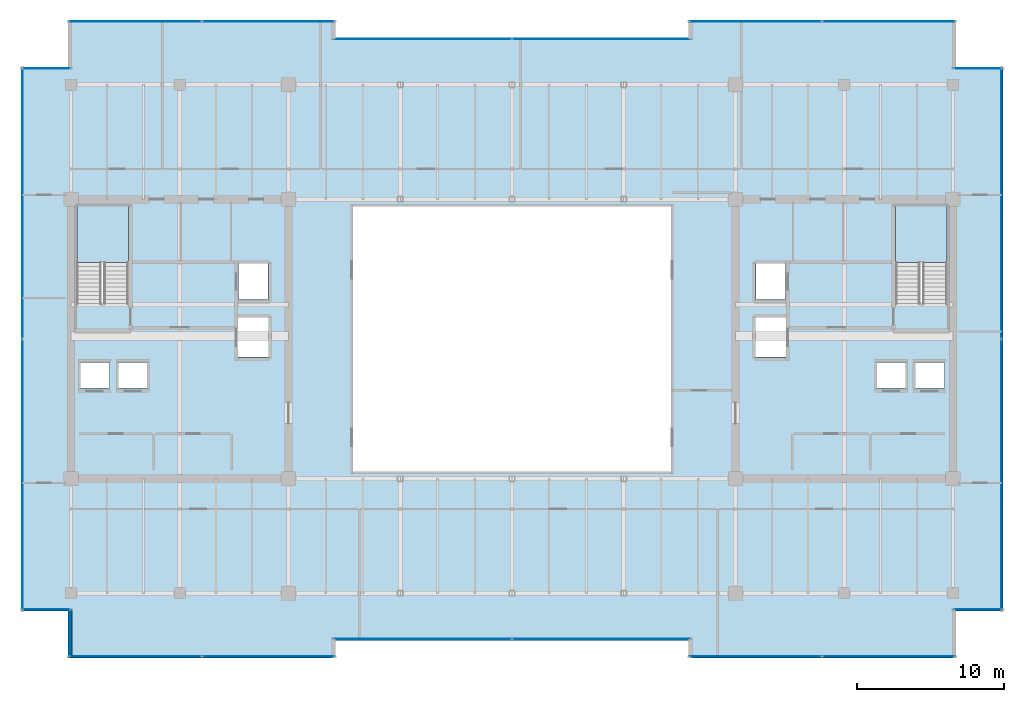
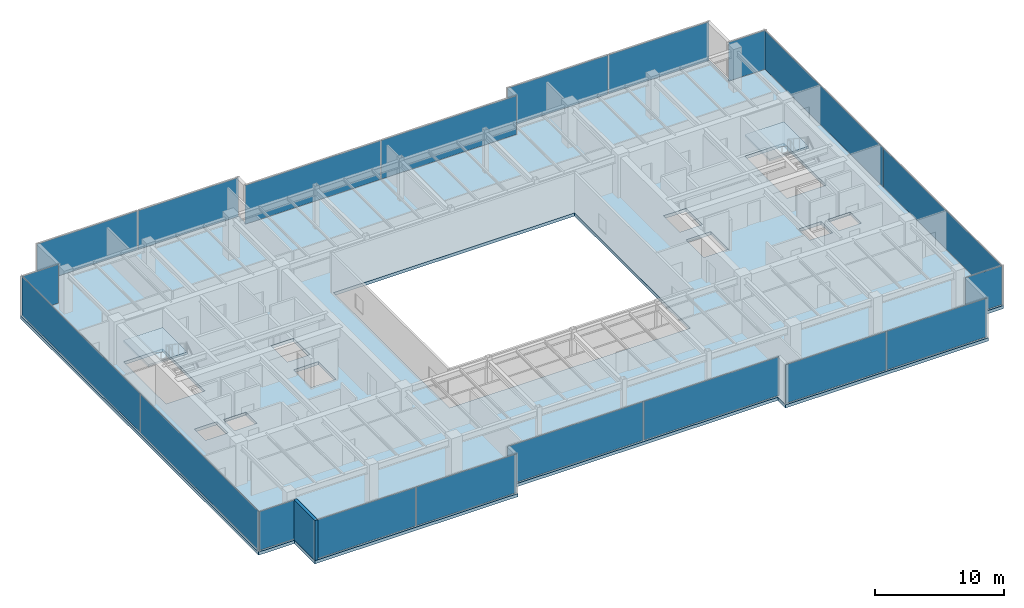
# One storey, part 27 of 33: 20 plates, 3 slabs, 1 wall, 14 elements without a shape of their own.
"""IFC4 building model written with IfcOpenShell, lengths in metres."""

import ifcopenshell
import ifcopenshell.guid

model = None  # the IFC model being written
_history = None  # IfcOwnerHistory: only IFC2X3 demands one
_inside = {}  # id of a spatial element -> (the spatial element, [elements in it])
_under = {}  # id of a project, library or spatial element -> (it, [spatial elements below it])
_declared = {}  # id of a project -> (the project, [libraries it declares])
_typed = {}  # id of a type object -> (the type object, [elements of that type])
_made_of = {}  # id of a material, layer set ... -> (it, [elements and type objects made of it])


def new_model(schema):
    """Start an empty IFC model of exactly this schema.

    Asked for "IFC4X3", IfcOpenShell would pick the latest addendum, in which some entities
    have other attributes; the version numbers below select the first issue.
    IFC2X3 requires an IfcOwnerHistory on every rooted entity: one is made here for all.
    """
    global model, _history
    if schema == "IFC4X3":
        model = ifcopenshell.file(schema_version=(4, 3, 0, 0))
    else:
        model = ifcopenshell.file(schema=schema)
    _inside.clear()
    _under.clear()
    _declared.clear()
    _typed.clear()
    _made_of.clear()
    _history = None
    if model.schema == "IFC2X3":
        org = make("IfcOrganization", Name="unknown")
        user = make(
            "IfcPersonAndOrganization",
            ThePerson=make("IfcPerson", FamilyName="unknown"),
            TheOrganization=org,
        )
        app = make(
            "IfcApplication",
            ApplicationDeveloper=org,
            Version="unknown",
            ApplicationFullName="unknown",
            ApplicationIdentifier="unknown",
        )
        _history = make(
            "IfcOwnerHistory",
            OwningUser=user,
            OwningApplication=app,
            ChangeAction="ADDED",
            CreationDate=0,
        )
    return model


def make(cls, **values):
    """One entity of the class cls with the attributes given. An attribute that is None is left unset."""
    return model.create_entity(
        cls, **{name: value for name, value in values.items() if value is not None}
    )


def rooted(cls, **values):
    """An entity with a GlobalId (a new one), such as an element, a storey or a relation."""
    return make(cls, GlobalId=ifcopenshell.guid.new(), OwnerHistory=_history, **values)


def si_unit(unit_type, name, prefix=None):
    """IfcSIUnit, for example si_unit("LENGTHUNIT", "METRE", prefix="MILLI")."""
    return make("IfcSIUnit", UnitType=unit_type, Prefix=prefix, Name=name)


def assignment(units):
    """IfcUnitAssignment: the units of a project."""
    return None if units is None else make("IfcUnitAssignment", Units=units)


def point(xyz):
    """IfcCartesianPoint."""
    return None if xyz is None else make("IfcCartesianPoint", Coordinates=xyz)


def direction(xyz):
    """IfcDirection."""
    return None if xyz is None else make("IfcDirection", DirectionRatios=xyz)


def frame(location, z_axis=None, x_axis=None):
    """IfcAxis2Placement3D, a coordinate frame: its origin and axes. An axis left out is left unset."""
    return make(
        "IfcAxis2Placement3D",
        Location=point(location),
        Axis=direction(z_axis),
        RefDirection=direction(x_axis),
    )


def frame_2d(location, x_axis=None):
    """IfcAxis2Placement2D, a coordinate frame in the plane: its origin and x axis."""
    return make(
        "IfcAxis2Placement2D", Location=point(location), RefDirection=direction(x_axis)
    )


def origin():
    """The frame at (0, 0, 0) with its axes left unset."""
    return frame((0.0, 0.0, 0.0))


def origin_2d():
    """The frame at (0, 0) in the plane with its x axis left unset."""
    return frame_2d((0.0, 0.0))


def place(relative_to, where):
    """IfcLocalPlacement: puts the frame where relative to a parent placement (None: the world)."""
    return make(
        "IfcLocalPlacement", PlacementRelTo=relative_to, RelativePlacement=where
    )


def context(
    kind, dimensions, precision=None, world=None, true_north=None, identifier=None
):
    """IfcGeometricRepresentationContext, for example the 3D "Model" context."""
    return make(
        "IfcGeometricRepresentationContext",
        ContextIdentifier=identifier,
        ContextType=kind,
        CoordinateSpaceDimension=dimensions,
        Precision=precision,
        WorldCoordinateSystem=world,
        TrueNorth=true_north,
    )


def subcontext(parent, identifier, kind, view, scale=None):
    """IfcGeometricRepresentationSubContext, for example "Body" below "Model"."""
    return make(
        "IfcGeometricRepresentationSubContext",
        ContextIdentifier=identifier,
        ContextType=kind,
        ParentContext=parent,
        TargetScale=scale,
        TargetView=view,
    )


def project(units=None, contexts=None):
    """IfcProject with its units and contexts."""
    return rooted(
        "IfcProject",
        Name="project",
        RepresentationContexts=contexts,
        UnitsInContext=assignment(units),
    )


def spatial(cls, under=None, at=None, **own):
    """A site, building, storey or space (cls), placed at a placement, below another one or the project."""
    s = rooted(cls, ObjectPlacement=at, **own)
    if under is not None:
        _under.setdefault(under.id(), (under, []))[1].append(s)
    return s


def polyline(points):
    """IfcPolyline through the points."""
    return make("IfcPolyline", Points=[point(p) for p in points])


def profile(cls, at=None, kind="AREA", **sizes):
    """A parametric profile (cls). Its sizes go by their IFC names, for example OverallWidth=200.0."""
    return make(cls, ProfileType=kind, Position=at, **sizes)


def rectangle(**sizes):
    """IfcRectangleProfileDef."""
    return profile("IfcRectangleProfileDef", **sizes)


def outline(outer, holes=None, kind="AREA"):
    """IfcArbitraryClosedProfileDef: a profile drawn as a closed curve; with holes, ...WithVoids."""
    if holes is None:
        return make("IfcArbitraryClosedProfileDef", ProfileType=kind, OuterCurve=outer)
    return make(
        "IfcArbitraryProfileDefWithVoids",
        ProfileType=kind,
        OuterCurve=outer,
        InnerCurves=holes,
    )


def extrude(swept, where, along, depth):
    """IfcExtrudedAreaSolid: the profile swept, set in the frame where, extruded along a direction by depth."""
    return make(
        "IfcExtrudedAreaSolid",
        SweptArea=swept,
        Position=where,
        ExtrudedDirection=direction(along),
        Depth=depth,
    )


def shape(context_of_items, identifier, shape_type, items):
    """IfcShapeRepresentation: the items that make up one representation, for example the "Body"."""
    return make(
        "IfcShapeRepresentation",
        ContextOfItems=context_of_items,
        RepresentationIdentifier=identifier,
        RepresentationType=shape_type,
        Items=items,
    )


def source(mapping_origin, context_of_items, identifier, shape_type, items):
    """IfcRepresentationMap: a shape defined once, which mapped items show again and again."""
    return make(
        "IfcRepresentationMap",
        MappingOrigin=mapping_origin,
        MappedRepresentation=shape(context_of_items, identifier, shape_type, items),
    )


def transform(
    local_origin,
    x_axis=None,
    y_axis=None,
    z_axis=None,
    scale=None,
    scale2=None,
    scale3=None,
    uniform=True,
):
    """IfcCartesianTransformationOperator3D, or its non-uniform kind. x_axis, y_axis, z_axis: its Axis1, 2, 3."""
    if uniform:
        return make(
            "IfcCartesianTransformationOperator3D",
            Axis1=direction(x_axis),
            Axis2=direction(y_axis),
            LocalOrigin=point(local_origin),
            Scale=scale,
            Axis3=direction(z_axis),
        )
    return make(
        "IfcCartesianTransformationOperator3DnonUniform",
        Axis1=direction(x_axis),
        Axis2=direction(y_axis),
        LocalOrigin=point(local_origin),
        Scale=scale,
        Axis3=direction(z_axis),
        Scale2=scale2,
        Scale3=scale3,
    )


def mapped(mapping_source, mapping_target):
    """IfcMappedItem: shows the shape of a source again, moved by a transform."""
    return make(
        "IfcMappedItem", MappingSource=mapping_source, MappingTarget=mapping_target
    )


def material(Name=None, Category=None):
    """IfcMaterial."""
    return make("IfcMaterial", Name=Name, Category=Category)


def layer(
    of_material, thickness, ventilated=None, Name=None, Category=None, Priority=None
):
    """IfcMaterialLayer: one layer of a wall or slab, of a material (None: an air gap)."""
    return make(
        "IfcMaterialLayer",
        Material=of_material,
        LayerThickness=thickness,
        IsVentilated=ventilated,
        Name=Name,
        Category=Category,
        Priority=Priority,
    )


def layer_set(layers, Name=None):
    """IfcMaterialLayerSet."""
    return make("IfcMaterialLayerSet", MaterialLayers=layers, LayerSetName=Name)


def made_of(thing, what):
    """Note that an element or type object is made of a material, layer set ...; save() writes the relation."""
    if what is not None:
        _made_of.setdefault(what.id(), (what, []))[1].append(thing)
    return thing


def type_object(cls, material=None, **own):
    """A type object (cls), such as IfcWallType, which elements share."""
    return made_of(rooted(cls, **own), material)


def type_shapes(of_type, sources):
    """Give a type object the sources (RepresentationMaps) that its elements show as mapped items."""
    of_type.RepresentationMaps = sources


def element(
    cls,
    number,
    at=None,
    inside=None,
    cuts=None,
    type_object=None,
    material=None,
    context=None,
    identifier="Body",
    shape_type=None,
    held_by="IfcProductDefinitionShape",
    body=None,
    shapes=None,
    **own,
):
    """One element of the class cls, such as IfcWall. Its Tag is "e" and its number.

    at: its placement. inside: the storey or other place that contains it. cuts: it is an
    opening in that element (IfcRelVoidsElement). A single representation is given by context,
    identifier, shape_type and body (its items); several are given by shapes. held_by: the class
    of the entity that holds the representations. save() writes the other relations.
    """
    e = rooted(cls, Tag="e%d" % number, ObjectPlacement=at, **own)
    if body is not None:
        shapes = [shape(context, identifier, shape_type, body)]
    if shapes is not None:
        e.Representation = make(held_by, Representations=shapes)
    if inside is not None:
        _inside.setdefault(inside.id(), (inside, []))[1].append(e)
    if cuts is not None:
        rooted(
            "IfcRelVoidsElement", RelatingBuildingElement=cuts, RelatedOpeningElement=e
        )
    if type_object is not None:
        _typed.setdefault(type_object.id(), (type_object, []))[1].append(e)
    return made_of(e, material)


def aggregate(whole, parts):
    """IfcRelAggregates: a whole, such as a stair, and the parts it consists of."""
    return rooted("IfcRelAggregates", RelatingObject=whole, RelatedObjects=parts)


def save(model, path):
    """Write the relations noted so far, then the file.

    IfcRelAggregates (storeys below a building ...), IfcRelContainedInSpatialStructure (elements
    in a storey), IfcRelDefinesByType, IfcRelAssociatesMaterial and IfcRelDeclares: one each for
    every whole, place, type object, material and project.
    """
    for whole, parts in _under.values():
        aggregate(whole, parts)
    for where, things in _inside.values():
        rooted(
            "IfcRelContainedInSpatialStructure",
            RelatedElements=things,
            RelatingStructure=where,
        )
    for kind, things in _typed.values():
        rooted("IfcRelDefinesByType", RelatedObjects=things, RelatingType=kind)
    for what, things in _made_of.values():
        rooted("IfcRelAssociatesMaterial", RelatedObjects=things, RelatingMaterial=what)
    for by, libraries in _declared.values():
        rooted("IfcRelDeclares", RelatingContext=by, RelatedDefinitions=libraries)
    model.write(path)


model = new_model("IFC4")

# Units and contexts
model_context = context("Model", 3, precision=1e-05, world=origin(), true_north=direction((0.0, 1.0)))
body_context = subcontext(model_context, "Body", "Model", "MODEL_VIEW")
ifc_project = project(units=[si_unit("LENGTHUNIT", "METRE"), si_unit("AREAUNIT", "SQUARE_METRE"), si_unit("VOLUMEUNIT", "CUBIC_METRE"), si_unit("PLANEANGLEUNIT", "RADIAN"), si_unit("MASSUNIT", "GRAM", prefix="KILO")], contexts=[model_context])

# Site, building, storey
site_placement = place(None, origin())
site = spatial("IfcSite", under=ifc_project, at=site_placement, CompositionType="ELEMENT")
building_placement = place(site_placement, origin())
building = spatial("IfcBuilding", under=site, at=building_placement, Name="Haelvirn Gate Laboratories", CompositionType="ELEMENT")
storey_placement = place(building_placement, frame((0.0, 0.0, 271.10009765625)))
storey = spatial("IfcBuildingStorey", under=building, at=storey_placement, Name="L65", CompositionType="ELEMENT", Elevation=271.10009765625)

# Stair, slab
ifc_material_1 = material(Name="Concrete C40/50", Category="concrete")
stair_type = type_object("IfcStairType", Name="ST-DOG-1650-R22", PredefinedType="HALF_TURN_STAIR", material=ifc_material_1)
stair_1_placement = place(storey_placement, origin())
stair_1 = element("IfcStair", 1, at=stair_1_placement, inside=storey, type_object=stair_type, Name="L65 Escape Stair ST1", PredefinedType="HALF_TURN_STAIR")
ifc_layer_1 = layer(ifc_material_1, 0.199951171875, Name="SL-STAIR-LND")
ifc_layer_set_1 = layer_set([ifc_layer_1], Name="Concrete C40/50")
slab_type_1 = type_object("IfcSlabType", Name="SL-STAIR-LND", PredefinedType="LANDING", material=ifc_layer_set_1)
slab_1_placement = place(storey_placement, frame((0.0, 0.0, 1.849853515625)))
slab_1 = element("IfcSlab", 2, at=slab_1_placement, type_object=slab_type_1, Name="ST1 landing 1", PredefinedType="LANDING", context=body_context, shape_type="SweptSolid", body=[
    extrude(outline(polyline([(11.300048828125, 29.5), (11.300048828125, 33.35009765625), (7.800048828125, 33.35009765625), (7.800048828125, 29.5), (11.300048828125, 29.5)])), origin(), (0.0, 0.0, 1.0), 0.199951171875),
])
aggregate(stair_1, [slab_1])

stair_2_placement = place(storey_placement, origin())
stair_2 = element("IfcStair", 3, at=stair_2_placement, inside=storey, type_object=stair_type, Name="L65 Escape Stair ST2", PredefinedType="HALF_TURN_STAIR")
slab_2_placement = place(storey_placement, frame((0.0, 0.0, 1.849853515625)))
slab_2 = element("IfcSlab", 4, at=slab_2_placement, type_object=slab_type_1, Name="ST2 landing 1", PredefinedType="LANDING", context=body_context, shape_type="SweptSolid", body=[
    extrude(outline(polyline([(67.0, 29.5), (67.0, 33.35009765625), (63.5, 33.35009765625), (63.5, 29.5), (67.0, 29.5)])), origin(), (0.0, 0.0, 1.0), 0.199951171875),
])
aggregate(stair_2, [slab_2])

# Slab
ifc_layer_2 = layer(ifc_material_1, 0.300048828125, Name="SL-Z3-300")
ifc_layer_set_2 = layer_set([ifc_layer_2], Name="Concrete C40/50")
slab_type_2 = type_object("IfcSlabType", Name="SL-Z3-300", PredefinedType="FLOOR", material=ifc_layer_set_2)
slab_3_placement = place(storey_placement, frame((0.0, 0.0, -0.300048828125)))
element("IfcSlab", 5, at=slab_3_placement, inside=storey, type_object=slab_type_2, Name="L65 Structural Slab MAIN", PredefinedType="FLOOR", context=body_context, shape_type="SweptSolid", body=[
    extrude(outline(polyline([(7.199951171875, 2.60009765625), (25.39990234375, 2.60009765625), (25.39990234375, 3.800048828125), (49.39990234375, 3.800048828125), (49.39990234375, 2.60009765625), (67.60009765625, 2.60009765625), (67.60009765625, 5.800048828125), (70.800048828125, 5.800048828125), (70.800048828125, 42.800048828125), (67.60009765625, 42.800048828125), (67.60009765625, 46.0), (49.39990234375, 46.0), (49.39990234375, 44.800048828125), (25.39990234375, 44.800048828125), (25.39990234375, 46.0), (7.199951171875, 46.0), (7.199951171875, 42.800048828125), (4.0, 42.800048828125), (4.0, 5.800048828125), (7.199951171875, 5.800048828125), (7.199951171875, 2.60009765625)]), holes=[polyline([(26.60009765625, 15.300048828125), (48.199951171875, 15.300048828125), (48.199951171875, 33.300048828125), (26.60009765625, 33.300048828125), (26.60009765625, 15.300048828125)]), polyline([(11.300048828125, 26.780029296875), (11.300048828125, 33.35009765625), (7.800048828125, 33.35009765625), (7.800048828125, 26.780029296875), (11.300048828125, 26.780029296875)]), polyline([(67.0, 26.780029296875), (67.0, 33.35009765625), (63.5, 33.35009765625), (63.5, 26.780029296875), (67.0, 26.780029296875)]), polyline([(7.989990234375, 20.969970703125), (10.010009765625, 20.969970703125), (10.010009765625, 22.7099609375), (7.989990234375, 22.7099609375), (7.989990234375, 20.969970703125)]), polyline([(10.590087890625, 20.969970703125), (12.610107421875, 20.969970703125), (12.610107421875, 22.7099609375), (10.590087890625, 22.7099609375), (10.590087890625, 20.969970703125)]), polyline([(18.7900390625, 26.969970703125), (20.81005859375, 26.969970703125), (20.81005859375, 29.510009765625), (18.7900390625, 29.510009765625), (18.7900390625, 26.969970703125)]), polyline([(18.68994140625, 23.070068359375), (20.909912109375, 23.070068359375), (20.909912109375, 25.81005859375), (18.68994140625, 25.81005859375), (18.68994140625, 23.070068359375)]), polyline([(64.7900390625, 20.969970703125), (66.81005859375, 20.969970703125), (66.81005859375, 22.7099609375), (64.7900390625, 22.7099609375), (64.7900390625, 20.969970703125)]), polyline([(62.18994140625, 20.969970703125), (64.2099609375, 20.969970703125), (64.2099609375, 22.7099609375), (62.18994140625, 22.7099609375), (62.18994140625, 20.969970703125)]), polyline([(53.989990234375, 26.969970703125), (56.010009765625, 26.969970703125), (56.010009765625, 29.510009765625), (53.989990234375, 29.510009765625), (53.989990234375, 26.969970703125)]), polyline([(53.889892578125, 23.070068359375), (56.110107421875, 23.070068359375), (56.110107421875, 25.81005859375), (53.889892578125, 25.81005859375), (53.889892578125, 23.070068359375)])]), origin(), (0.0, 0.0, 1.0), 0.300048828125),
])

# Curtain wall, plates
ifc_material_2 = material(Name="Anodised bronze unitised aluminium & triple low-E glass", Category="aluminium")
ifc_layer_3 = layer(ifc_material_2, 0.176025390625, Name="CW-SYS-4")
ifc_layer_set_3 = layer_set([ifc_layer_3], Name="Anodised bronze unitised aluminium & triple low-E glass")
curtain_wall_type_1 = type_object("IfcCurtainWallType", Name="CW-SYS-4", PredefinedType="NOTDEFINED", material=ifc_layer_set_3)
curtain_wall_1_placement = place(storey_placement, origin())
curtain_wall_1 = element("IfcCurtainWall", 6, at=curtain_wall_1_placement, inside=storey, type_object=curtain_wall_type_1, Name="L65 Unitised Curtain Wall CW-L65-P0-E00-1", PredefinedType="NOTDEFINED")
ifc_material_3 = material(Name="Acoustic laminated bronze triple IGU 36 mm", Category="glass")
ifc_layer_4 = layer(ifc_material_3, 0.035888671875, Name="CWP-IGU-36")
ifc_layer_set_4 = layer_set([ifc_layer_4], Name="Acoustic laminated bronze triple IGU 36 mm")
plate_type_1 = type_object("IfcPlateType", Name="CWP-IGU-36", PredefinedType="CURTAIN_PANEL", material=ifc_layer_set_4)
shared_shape_1 = source(origin(), body_context, "Body", "SweptSolid", [
    extrude(rectangle(XDim=8.9951171875, YDim=0.035888671875, at=origin_2d()), origin(), (0.0, 0.0, 1.0), 3.669921875),
])
plate_1_placement = place(storey_placement, frame((11.767578125, 2.699951171875, 0.06494140625), z_axis=(0.0, 0.0, 1.0), x_axis=(1.0, 0.0, 0.0)))
plate_1 = element("IfcPlate", 7, at=plate_1_placement, type_object=plate_type_1, Name="CW4 panel 1.1", PredefinedType="CURTAIN_PANEL", context=body_context, shape_type="MappedRepresentation", body=[
    mapped(shared_shape_1, transform((0.0, 0.0, 0.0), scale=1.0)),
])
plate_2_placement = place(storey_placement, frame((20.83251953125, 2.699951171875, 0.06494140625), z_axis=(0.0, 0.0, 1.0), x_axis=(1.0, 0.0, 0.0)))
plate_2 = element("IfcPlate", 8, at=plate_2_placement, type_object=plate_type_1, Name="CW4 panel 2.1", PredefinedType="CURTAIN_PANEL", context=body_context, shape_type="MappedRepresentation", body=[
    mapped(shared_shape_1, transform((0.0, 0.0, 0.0), scale=1.0)),
])
aggregate(curtain_wall_1, [plate_1, plate_2])

curtain_wall_2_placement = place(storey_placement, origin())
curtain_wall_2 = element("IfcCurtainWall", 9, at=curtain_wall_2_placement, inside=storey, type_object=curtain_wall_type_1, Name="L65 Unitised Curtain Wall CW-L65-P0-E04-1", PredefinedType="NOTDEFINED")
plate_3_placement = place(storey_placement, frame((53.967529296875, 2.699951171875, 0.06494140625), z_axis=(0.0, 0.0, 1.0), x_axis=(1.0, 0.0, 0.0)))
plate_3 = element("IfcPlate", 10, at=plate_3_placement, type_object=plate_type_1, Name="CW4 panel 1.1", PredefinedType="CURTAIN_PANEL", context=body_context, shape_type="MappedRepresentation", body=[
    mapped(shared_shape_1, transform((0.0, 0.0, 0.0), scale=1.0)),
])
plate_4_placement = place(storey_placement, frame((63.032470703125, 2.699951171875, 0.06494140625), z_axis=(0.0, 0.0, 1.0), x_axis=(1.0, 0.0, 0.0)))
plate_4 = element("IfcPlate", 11, at=plate_4_placement, type_object=plate_type_1, Name="CW4 panel 2.1", PredefinedType="CURTAIN_PANEL", context=body_context, shape_type="MappedRepresentation", body=[
    mapped(shared_shape_1, transform((0.0, 0.0, 0.0), scale=1.0)),
])
aggregate(curtain_wall_2, [plate_3, plate_4])

curtain_wall_3_placement = place(storey_placement, origin())
curtain_wall_3 = element("IfcCurtainWall", 12, at=curtain_wall_3_placement, inside=storey, type_object=curtain_wall_type_1, Name="L65 Unitised Curtain Wall CW-L65-P0-E10-1", PredefinedType="NOTDEFINED")
plate_5_placement = place(storey_placement, frame((53.967529296875, 45.89990234375, 0.06494140625), z_axis=(0.0, 0.0, 1.0), x_axis=(1.0, 0.0, 0.0)))
plate_5 = element("IfcPlate", 13, at=plate_5_placement, type_object=plate_type_1, Name="CW4 panel 1.1", PredefinedType="CURTAIN_PANEL", context=body_context, shape_type="MappedRepresentation", body=[
    mapped(shared_shape_1, transform((0.0, 0.0, 0.0), scale=1.0)),
])
plate_6_placement = place(storey_placement, frame((63.032470703125, 45.89990234375, 0.06494140625), z_axis=(0.0, 0.0, 1.0), x_axis=(1.0, 0.0, 0.0)))
plate_6 = element("IfcPlate", 14, at=plate_6_placement, type_object=plate_type_1, Name="CW4 panel 2.1", PredefinedType="CURTAIN_PANEL", context=body_context, shape_type="MappedRepresentation", body=[
    mapped(shared_shape_1, transform((0.0, 0.0, 0.0), scale=1.0)),
])
aggregate(curtain_wall_3, [plate_5, plate_6])

curtain_wall_4_placement = place(storey_placement, origin())
curtain_wall_4 = element("IfcCurtainWall", 15, at=curtain_wall_4_placement, inside=storey, type_object=curtain_wall_type_1, Name="L65 Unitised Curtain Wall CW-L65-P0-E14-1", PredefinedType="NOTDEFINED")
plate_7_placement = place(storey_placement, frame((11.767578125, 45.89990234375, 0.06494140625), z_axis=(0.0, 0.0, 1.0), x_axis=(1.0, 0.0, 0.0)))
plate_7 = element("IfcPlate", 16, at=plate_7_placement, type_object=plate_type_1, Name="CW4 panel 1.1", PredefinedType="CURTAIN_PANEL", context=body_context, shape_type="MappedRepresentation", body=[
    mapped(shared_shape_1, transform((0.0, 0.0, 0.0), scale=1.0)),
])
plate_8_placement = place(storey_placement, frame((20.83251953125, 45.89990234375, 0.06494140625), z_axis=(0.0, 0.0, 1.0), x_axis=(1.0, 0.0, 0.0)))
plate_8 = element("IfcPlate", 17, at=plate_8_placement, type_object=plate_type_1, Name="CW4 panel 2.1", PredefinedType="CURTAIN_PANEL", context=body_context, shape_type="MappedRepresentation", body=[
    mapped(shared_shape_1, transform((0.0, 0.0, 0.0), scale=1.0)),
])
aggregate(curtain_wall_4, [plate_7, plate_8])

curtain_wall_5_placement = place(storey_placement, origin())
curtain_wall_5 = element("IfcCurtainWall", 18, at=curtain_wall_5_placement, inside=storey, type_object=curtain_wall_type_1, Name="L65 Unitised Curtain Wall CW-L65-P0-E02-1", PredefinedType="NOTDEFINED")
shared_shape_2 = source(origin(), body_context, "Body", "SweptSolid", [
    extrude(rectangle(XDim=12.135009765625, YDim=0.035888671875, at=origin_2d()), origin(), (0.0, 0.0, 1.0), 3.669921875),
])
plate_9_placement = place(storey_placement, frame((31.297607421875, 3.89990234375, 0.06494140625), z_axis=(0.0, 0.0, 1.0), x_axis=(1.0, 0.0, 0.0)))
plate_9 = element("IfcPlate", 19, at=plate_9_placement, type_object=plate_type_1, Name="CW4 panel 1.1", PredefinedType="CURTAIN_PANEL", context=body_context, shape_type="MappedRepresentation", body=[
    mapped(shared_shape_2, transform((0.0, 0.0, 0.0), scale=1.0)),
])
plate_10_placement = place(storey_placement, frame((43.50244140625, 3.89990234375, 0.06494140625), z_axis=(0.0, 0.0, 1.0), x_axis=(1.0, 0.0, 0.0)))
plate_10 = element("IfcPlate", 20, at=plate_10_placement, type_object=plate_type_1, Name="CW4 panel 2.1", PredefinedType="CURTAIN_PANEL", context=body_context, shape_type="MappedRepresentation", body=[
    mapped(shared_shape_2, transform((0.0, 0.0, 0.0), scale=1.0)),
])
aggregate(curtain_wall_5, [plate_9, plate_10])

curtain_wall_6_placement = place(storey_placement, origin())
curtain_wall_6 = element("IfcCurtainWall", 21, at=curtain_wall_6_placement, inside=storey, type_object=curtain_wall_type_1, Name="L65 Unitised Curtain Wall CW-L65-P0-E12-1", PredefinedType="NOTDEFINED")
plate_11_placement = place(storey_placement, frame((31.297607421875, 44.699951171875, 0.06494140625), z_axis=(0.0, 0.0, 1.0), x_axis=(1.0, 0.0, 0.0)))
plate_11 = element("IfcPlate", 22, at=plate_11_placement, type_object=plate_type_1, Name="CW4 panel 1.1", PredefinedType="CURTAIN_PANEL", context=body_context, shape_type="MappedRepresentation", body=[
    mapped(shared_shape_2, transform((0.0, 0.0, 0.0), scale=1.0)),
])
plate_12_placement = place(storey_placement, frame((43.50244140625, 44.699951171875, 0.06494140625), z_axis=(0.0, 0.0, 1.0), x_axis=(1.0, 0.0, 0.0)))
plate_12 = element("IfcPlate", 23, at=plate_12_placement, type_object=plate_type_1, Name="CW4 panel 2.1", PredefinedType="CURTAIN_PANEL", context=body_context, shape_type="MappedRepresentation", body=[
    mapped(shared_shape_2, transform((0.0, 0.0, 0.0), scale=1.0)),
])
aggregate(curtain_wall_6, [plate_11, plate_12])

# Curtain wall, plate
ifc_layer_5 = layer(ifc_material_2, 0.181884765625, Name="CW-SYS-5")
ifc_layer_set_5 = layer_set([ifc_layer_5], Name="Anodised bronze unitised aluminium & triple low-E glass")
curtain_wall_type_2 = type_object("IfcCurtainWallType", Name="CW-SYS-5", PredefinedType="NOTDEFINED", material=ifc_layer_set_5)
curtain_wall_7_placement = place(storey_placement, origin())
curtain_wall_7 = element("IfcCurtainWall", 24, at=curtain_wall_7_placement, inside=storey, type_object=curtain_wall_type_2, Name="L65 Unitised Curtain Wall CW-L65-P0-E06-1", PredefinedType="NOTDEFINED")
ifc_material_4 = material(Name="Clear low-iron notched-corner triple IGU 42 mm", Category="glass")
ifc_layer_6 = layer(ifc_material_4, 0.0419921875, Name="CWP-NTC-42")
ifc_layer_set_6 = layer_set([ifc_layer_6], Name="Clear low-iron notched-corner triple IGU 42 mm")
plate_type_2 = type_object("IfcPlateType", Name="CWP-NTC-42", PredefinedType="CURTAIN_PANEL", material=ifc_layer_set_6)
shared_shape_3 = source(origin(), body_context, "Body", "SweptSolid", [
    extrude(rectangle(XDim=3.280029296875, YDim=0.0419921875, at=origin_2d()), origin(), (0.0, 0.0, 1.0), 3.669921875),
])
type_shapes(plate_type_2, [shared_shape_3])
plate_13_placement = place(storey_placement, frame((69.080078125, 5.89990234375, 0.06494140625), z_axis=(0.0, 0.0, 1.0), x_axis=(1.0, 0.0, 0.0)))
plate_13 = element("IfcPlate", 25, at=plate_13_placement, type_object=plate_type_2, Name="CW5 panel 1.1", PredefinedType="CURTAIN_PANEL", context=body_context, shape_type="MappedRepresentation", body=[
    mapped(shared_shape_3, transform((0.0, 0.0, 0.0), scale=1.0)),
])
aggregate(curtain_wall_7, [plate_13])

curtain_wall_8_placement = place(storey_placement, origin())
curtain_wall_8 = element("IfcCurtainWall", 26, at=curtain_wall_8_placement, inside=storey, type_object=curtain_wall_type_2, Name="L65 Unitised Curtain Wall CW-L65-P0-E08-1", PredefinedType="NOTDEFINED")
plate_14_placement = place(storey_placement, frame((69.080078125, 42.699951171875, 0.06494140625), z_axis=(0.0, 0.0, 1.0), x_axis=(1.0, 0.0, 0.0)))
plate_14 = element("IfcPlate", 27, at=plate_14_placement, type_object=plate_type_2, Name="CW5 panel 1.1", PredefinedType="CURTAIN_PANEL", context=body_context, shape_type="MappedRepresentation", body=[
    mapped(shared_shape_3, transform((0.0, 0.0, 0.0), scale=1.0)),
])
aggregate(curtain_wall_8, [plate_14])

curtain_wall_9_placement = place(storey_placement, origin())
curtain_wall_9 = element("IfcCurtainWall", 28, at=curtain_wall_9_placement, inside=storey, type_object=curtain_wall_type_2, Name="L65 Unitised Curtain Wall CW-L65-P0-E16-1", PredefinedType="NOTDEFINED")
plate_15_placement = place(storey_placement, frame((5.719970703125, 42.699951171875, 0.06494140625), z_axis=(0.0, 0.0, 1.0), x_axis=(1.0, 0.0, 0.0)))
plate_15 = element("IfcPlate", 29, at=plate_15_placement, type_object=plate_type_2, Name="CW5 panel 1.1", PredefinedType="CURTAIN_PANEL", context=body_context, shape_type="MappedRepresentation", body=[
    mapped(shared_shape_3, transform((0.0, 0.0, 0.0), scale=1.0)),
])
aggregate(curtain_wall_9, [plate_15])

curtain_wall_10_placement = place(storey_placement, origin())
curtain_wall_10 = element("IfcCurtainWall", 30, at=curtain_wall_10_placement, inside=storey, type_object=curtain_wall_type_2, Name="L65 Unitised Curtain Wall CW-L65-P0-E18-1", PredefinedType="NOTDEFINED")
plate_16_placement = place(storey_placement, frame((5.719970703125, 5.89990234375, 0.06494140625), z_axis=(0.0, 0.0, 1.0), x_axis=(1.0, 0.0, 0.0)))
plate_16 = element("IfcPlate", 31, at=plate_16_placement, type_object=plate_type_2, Name="CW5 panel 1.1", PredefinedType="CURTAIN_PANEL", context=body_context, shape_type="MappedRepresentation", body=[
    mapped(shared_shape_3, transform((0.0, 0.0, 0.0), scale=1.0)),
])
aggregate(curtain_wall_10, [plate_16])

# Curtain wall, plates
curtain_wall_11_placement = place(storey_placement, origin())
curtain_wall_11 = element("IfcCurtainWall", 32, at=curtain_wall_11_placement, inside=storey, type_object=curtain_wall_type_1, Name="L65 Unitised Curtain Wall CW-L65-P0-E07", PredefinedType="NOTDEFINED")
shared_shape_4 = source(origin(), body_context, "Body", "SweptSolid", [
    extrude(rectangle(XDim=18.39501953125, YDim=0.035888671875, at=origin_2d()), origin(), (0.0, 0.0, 1.0), 3.669921875),
])
type_shapes(plate_type_1, [shared_shape_1, shared_shape_2, shared_shape_4])
plate_17_placement = place(storey_placement, frame((70.699951171875, 15.0673828125, 0.06494140625), z_axis=(0.0, 0.0, 1.0), x_axis=(0.0, 1.0, 0.0)))
plate_17 = element("IfcPlate", 33, at=plate_17_placement, type_object=plate_type_1, Name="CW4 panel 1.1", PredefinedType="CURTAIN_PANEL", context=body_context, shape_type="MappedRepresentation", body=[
    mapped(shared_shape_4, transform((0.0, 0.0, 0.0), scale=1.0)),
])
plate_18_placement = place(storey_placement, frame((70.699951171875, 33.532470703125, 0.06494140625), z_axis=(0.0, 0.0, 1.0), x_axis=(0.0, 1.0, 0.0)))
plate_18 = element("IfcPlate", 34, at=plate_18_placement, type_object=plate_type_1, Name="CW4 panel 2.1", PredefinedType="CURTAIN_PANEL", context=body_context, shape_type="MappedRepresentation", body=[
    mapped(shared_shape_4, transform((0.0, 0.0, 0.0), scale=1.0)),
])
aggregate(curtain_wall_11, [plate_17, plate_18])

curtain_wall_12_placement = place(storey_placement, origin())
curtain_wall_12 = element("IfcCurtainWall", 35, at=curtain_wall_12_placement, inside=storey, type_object=curtain_wall_type_1, Name="L65 Unitised Curtain Wall CW-L65-P0-E17", PredefinedType="NOTDEFINED")
plate_19_placement = place(storey_placement, frame((4.10009765625, 33.532470703125, 0.06494140625), z_axis=(0.0, 0.0, 1.0), x_axis=(0.0, -1.0, 0.0)))
plate_19 = element("IfcPlate", 36, at=plate_19_placement, type_object=plate_type_1, Name="CW4 panel 1.1", PredefinedType="CURTAIN_PANEL", context=body_context, shape_type="MappedRepresentation", body=[
    mapped(shared_shape_4, transform((0.0, 0.0, 0.0), scale=1.0)),
])
plate_20_placement = place(storey_placement, frame((4.10009765625, 15.0673828125, 0.06494140625), z_axis=(0.0, 0.0, 1.0), x_axis=(0.0, -1.0, 0.0)))
plate_20 = element("IfcPlate", 37, at=plate_20_placement, type_object=plate_type_1, Name="CW4 panel 2.1", PredefinedType="CURTAIN_PANEL", context=body_context, shape_type="MappedRepresentation", body=[
    mapped(shared_shape_4, transform((0.0, 0.0, 0.0), scale=1.0)),
])
aggregate(curtain_wall_12, [plate_19, plate_20])

# Wall
ifc_material_5 = material(Name="Thermally-broken bronze aluminium rainscreen & mineral wool", Category="aluminium")
ifc_layer_7 = layer(ifc_material_5, 0.280029296875, Name="EW-TERR-280")
ifc_layer_set_7 = layer_set([ifc_layer_7], Name="Thermally-broken bronze aluminium rainscreen & mineral wool")
wall_type = type_object("IfcWallType", Name="EW-TERR-280", PredefinedType="STANDARD", material=ifc_layer_set_7)
wall_placement = place(storey_placement, frame((7.340087890625, 5.887939453125, 0.0), z_axis=(0.0, 0.0, 1.0), x_axis=(0.0, -1.0, 0.0)))
element("IfcWall", 38, at=wall_placement, inside=storey, type_object=wall_type, Name="L65 Atrium Recess Bronze Return Wall 19", PredefinedType="STANDARD", context=body_context, shape_type="SweptSolid", body=[
    extrude(rectangle(XDim=3.287841796875, YDim=0.280029296875, at=frame_2d((1.64404296875, 0.0))), origin(), (0.0, 0.0, 1.0), 3.7998046875),
])

save(model, "model.ifc")
